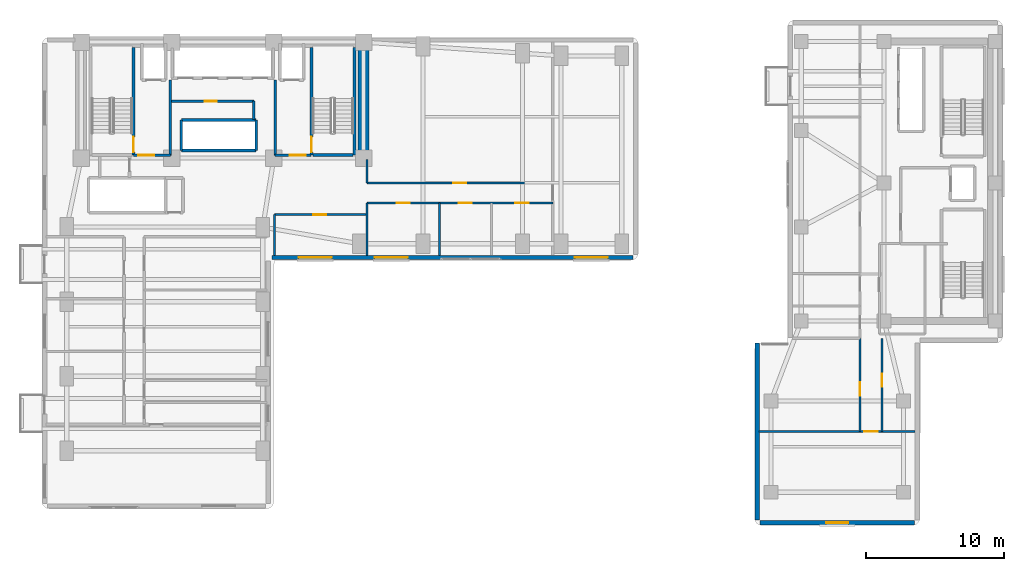
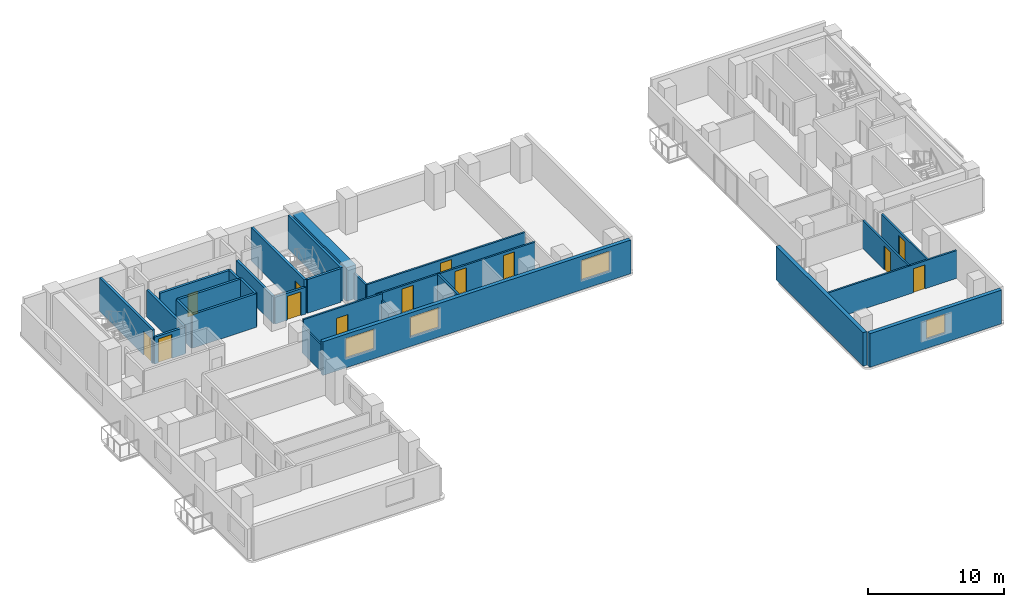
# One storey, part 11 of 17: 28 walls, 13 doors, 4 windows, 17 openings.
"""IFC4 building model written with IfcOpenShell, lengths in metres."""

from ifc_helpers import new_model, si_unit, direction, frame, frame_2d, origin, place, context, subcontext, project, spatial, rectangle, extrude, material, layer, layer_set, type_object, element, fill, save


model = new_model("IFC4")

# Units and contexts
model_context = context("Model", 3, precision=1e-05, world=origin(), true_north=direction((0.0, 1.0)))
body_context = subcontext(model_context, "Body", "Model", "MODEL_VIEW")
ifc_project = project(units=[si_unit("LENGTHUNIT", "METRE"), si_unit("AREAUNIT", "SQUARE_METRE"), si_unit("VOLUMEUNIT", "CUBIC_METRE"), si_unit("PLANEANGLEUNIT", "RADIAN"), si_unit("MASSUNIT", "GRAM", prefix="KILO")], contexts=[model_context])

# Site, building, storey
site_placement = place(None, origin())
site = spatial("IfcSite", under=ifc_project, at=site_placement, CompositionType="ELEMENT")
building_placement = place(site_placement, origin())
building = spatial("IfcBuilding", under=site, at=building_placement, Name="Kuzgunbayir Cultural Tower", CompositionType="ELEMENT")
storey_placement = place(building_placement, frame((0.0, 0.0, 50.0)))
storey = spatial("IfcBuildingStorey", under=building, at=storey_placement, Name="L13", CompositionType="ELEMENT", Elevation=50.0)

# Wall
ifc_material_1 = material(Name="Concrete C60/75", Category="concrete")
ifc_layer_1 = layer(ifc_material_1, 0.800048828125)
ifc_layer_set_1 = layer_set([ifc_layer_1], Name="Concrete C60/75")
wall_type_1 = type_object("IfcWallType", Name="WAL-CORE-800", PredefinedType="SHEAR", material=ifc_layer_set_1)
wall_1_placement = place(storey_placement, frame((26.89990234375, 33.800048828125, 0.0), z_axis=(0.0, 0.0, 1.0), x_axis=(0.0, 1.0, 0.0)))
element("IfcWall", 1, at=wall_1_placement, inside=storey, type_object=wall_type_1, Name="L13 T1 Core East Shear Wall", PredefinedType="SHEAR", context=body_context, shape_type="SweptSolid", body=[
    extrude(rectangle(XDim=7.949951171875, YDim=0.800048828125, at=frame_2d((3.97509765625, 0.0))), origin(), (0.0, 0.0, 1.0), 3.02001953125),
])

# Wall, openings, windows
ifc_material_2 = material(Name="Travertine Buff Ashlar", Category="masonry")
ifc_layer_2 = layer(ifc_material_2, 0.320068359375)
ifc_layer_set_2 = layer_set([ifc_layer_2], Name="Travertine Buff Ashlar")
wall_type_2 = type_object("IfcWallType", Name="WAL-EXT-STONE-320", PredefinedType="STANDARD", material=ifc_layer_set_2)
wall_2_placement = place(storey_placement, frame((20.25, 26.60009765625, 0.0), z_axis=(0.0, 0.0, 1.0), x_axis=(1.0, 0.0, 0.0)))
wall_2 = element("IfcWall", 2, at=wall_2_placement, inside=storey, type_object=wall_type_2, Name="L13 Wing B South Limestone Wall", PredefinedType="STANDARD", context=body_context, shape_type="SweptSolid", body=[
    extrude(rectangle(XDim=26.14990234375, YDim=0.320068359375, at=frame_2d((13.074951171875, 0.0))), origin(), (0.0, 0.0, 1.0), 3.02001953125),
])
opening_1_placement = place(wall_2_placement, frame((1.949951171875, 0.0, 0.85009765625)))
opening_1 = element("IfcOpeningElement", 3, at=opening_1_placement, cuts=wall_2, Name="Opening WO-24", PredefinedType="OPENING", context=body_context, shape_type="SweptSolid", body=[
    extrude(rectangle(XDim=2.39990234375, YDim=1.800048828125, at=frame_2d((1.199951171875, 0.89990234375))), frame((0.0, 0.169921875, 0.0), z_axis=(0.0, -1.0, 0.0), x_axis=(1.0, 0.0, 0.0)), (0.0, 0.0, 1.0), 0.340087890625),
])
opening_2_placement = place(wall_2_placement, frame((7.449951171875, 0.0, 0.85009765625)))
opening_2 = element("IfcOpeningElement", 4, at=opening_2_placement, cuts=wall_2, Name="Opening WO-24", PredefinedType="OPENING", context=body_context, shape_type="SweptSolid", body=[
    extrude(rectangle(XDim=2.39990234375, YDim=1.800048828125, at=frame_2d((1.199951171875, 0.89990234375))), frame((0.0, 0.169921875, 0.0), z_axis=(0.0, -1.0, 0.0), x_axis=(1.0, 0.0, 0.0)), (0.0, 0.0, 1.0), 0.340087890625),
])
opening_3_placement = place(wall_2_placement, frame((21.949951171875, 0.0, 0.85009765625)))
opening_3 = element("IfcOpeningElement", 5, at=opening_3_placement, cuts=wall_2, Name="Opening WO-24", PredefinedType="OPENING", context=body_context, shape_type="SweptSolid", body=[
    extrude(rectangle(XDim=2.39990234375, YDim=1.800048828125, at=frame_2d((1.199951171875, 0.89990234375))), frame((0.0, 0.169921875, 0.0), z_axis=(0.0, -1.0, 0.0), x_axis=(1.0, 0.0, 0.0)), (0.0, 0.0, 1.0), 0.340087890625),
])
ifc_material_3 = material(Name="Solar-Control Triple Glazing", Category="glass")
window_type_1 = type_object("IfcWindowType", Name="WIN-OFFICE-24", PartitioningType="SINGLE_PANEL", PredefinedType="WINDOW", material=ifc_material_3)
window_1_placement = place(opening_1_placement, origin())
window_1 = element("IfcWindow", 6, at=window_1_placement, inside=storey, type_object=window_type_1, Name="L13 WBS Facade Window 8", OverallHeight=1.800048828125, OverallWidth=2.39990234375, PartitioningType="SINGLE_PANEL", PredefinedType="WINDOW", context=body_context, shape_type="SweptSolid", body=[
    extrude(rectangle(XDim=2.39990234375, YDim=1.800048828125, at=frame_2d((1.199951171875, 0.89990234375))), frame((0.0, 0.030029296875, 0.0), z_axis=(0.0, -1.0, 0.0), x_axis=(1.0, 0.0, 0.0)), (0.0, 0.0, 1.0), 0.06005859375),
])
fill(opening_1, window_1)
window_2_placement = place(opening_2_placement, origin())
window_2 = element("IfcWindow", 7, at=window_2_placement, inside=storey, type_object=window_type_1, Name="L13 WBS Facade Window 9", OverallHeight=1.800048828125, OverallWidth=2.39990234375, PartitioningType="SINGLE_PANEL", PredefinedType="WINDOW", context=body_context, shape_type="SweptSolid", body=[
    extrude(rectangle(XDim=2.39990234375, YDim=1.800048828125, at=frame_2d((1.199951171875, 0.89990234375))), frame((0.0, 0.030029296875, 0.0), z_axis=(0.0, -1.0, 0.0), x_axis=(1.0, 0.0, 0.0)), (0.0, 0.0, 1.0), 0.06005859375),
])
fill(opening_2, window_2)
window_3_placement = place(opening_3_placement, origin())
window_3 = element("IfcWindow", 8, at=window_3_placement, inside=storey, type_object=window_type_1, Name="L13 WBS Facade Window 10", OverallHeight=1.800048828125, OverallWidth=2.39990234375, PartitioningType="SINGLE_PANEL", PredefinedType="WINDOW", context=body_context, shape_type="SweptSolid", body=[
    extrude(rectangle(XDim=2.39990234375, YDim=1.800048828125, at=frame_2d((1.199951171875, 0.89990234375))), frame((0.0, 0.030029296875, 0.0), z_axis=(0.0, -1.0, 0.0), x_axis=(1.0, 0.0, 0.0)), (0.0, 0.0, 1.0), 0.06005859375),
])
fill(opening_3, window_3)

# Wall, opening, window
wall_3_placement = place(storey_placement, frame((55.60009765625, 7.39990234375, 0.0), z_axis=(0.0, 0.0, 1.0), x_axis=(1.0, 0.0, 0.0)))
wall_3 = element("IfcWall", 9, at=wall_3_placement, inside=storey, type_object=wall_type_2, Name="L13 Companion Wing B South Wall", PredefinedType="STANDARD", context=body_context, shape_type="SweptSolid", body=[
    extrude(rectangle(XDim=11.199951171875, YDim=0.320068359375, at=frame_2d((5.60009765625, 0.0))), origin(), (0.0, 0.0, 1.0), 3.02001953125),
])
opening_4_placement = place(wall_3_placement, frame((4.800048828125, 0.0, 0.85009765625)))
opening_4 = element("IfcOpeningElement", 10, at=opening_4_placement, cuts=wall_3, Name="Opening WC-16", PredefinedType="OPENING", context=body_context, shape_type="SweptSolid", body=[
    extrude(rectangle(XDim=1.60009765625, YDim=1.699951171875, at=frame_2d((0.800048828125, 0.85009765625))), frame((0.0, 0.169921875, 0.0), z_axis=(0.0, -1.0, 0.0), x_axis=(1.0, 0.0, 0.0)), (0.0, 0.0, 1.0), 0.340087890625),
])
window_type_2 = type_object("IfcWindowType", Name="WIN-COMP-16", PartitioningType="SINGLE_PANEL", PredefinedType="WINDOW", material=ifc_material_3)
window_4_placement = place(opening_4_placement, origin())
window_4 = element("IfcWindow", 11, at=window_4_placement, inside=storey, type_object=window_type_2, Name="L13 Companion South Window", OverallHeight=1.699951171875, OverallWidth=1.60009765625, PartitioningType="SINGLE_PANEL", PredefinedType="WINDOW", context=body_context, shape_type="SweptSolid", body=[
    extrude(rectangle(XDim=1.60009765625, YDim=1.699951171875, at=frame_2d((0.800048828125, 0.85009765625))), frame((0.0, 0.030029296875, 0.0), z_axis=(0.0, -1.0, 0.0), x_axis=(1.0, 0.0, 0.0)), (0.0, 0.0, 1.0), 0.06005859375),
])
fill(opening_4, window_4)

# Wall
wall_4_placement = place(storey_placement, frame((55.39990234375, 20.39990234375, 0.0), z_axis=(0.0, 0.0, 1.0), x_axis=(0.0, -1.0, 0.0)))
element("IfcWall", 12, at=wall_4_placement, inside=storey, type_object=wall_type_2, Name="L13 Companion Wing B West Wall", PredefinedType="STANDARD", context=body_context, shape_type="SweptSolid", body=[
    extrude(rectangle(XDim=12.7998046875, YDim=0.320068359375, at=frame_2d((6.39990234375, 0.0))), origin(), (0.0, 0.0, 1.0), 3.02001953125),
])

# Wall, opening, door
ifc_material_4 = material(Name="Acoustic Double-Stud Drywall", Category="gypsum")
ifc_layer_3 = layer(ifc_material_4, 0.14990234375)
ifc_layer_set_3 = layer_set([ifc_layer_3], Name="Acoustic Double-Stud Drywall")
wall_type_3 = type_object("IfcWallType", Name="WAL-PART-ACOUSTIC-150", PredefinedType="PARTITIONING", material=ifc_layer_set_3)
wall_5_placement = place(storey_placement, frame((20.449951171875, 29.699951171875, 0.0), z_axis=(0.0, 0.0, 1.0), x_axis=(1.0, 0.0, 0.0)))
wall_5 = element("IfcWall", 13, at=wall_5_placement, inside=storey, type_object=wall_type_3, Name="L13 Waist Alcove North Wall", PredefinedType="PARTITIONING", context=body_context, shape_type="SweptSolid", body=[
    extrude(rectangle(XDim=6.699951171875, YDim=0.14990234375, at=frame_2d((3.35009765625, 0.0))), origin(), (0.0, 0.0, 1.0), 3.02001953125),
])
opening_5_placement = place(wall_5_placement, frame((2.800048828125, 0.0, 0.0)))
opening_5 = element("IfcOpeningElement", 14, at=opening_5_placement, cuts=wall_5, Name="Opening DI-90", PredefinedType="OPENING", context=body_context, shape_type="SweptSolid", body=[
    extrude(rectangle(XDim=0.949951171875, YDim=2.14990234375, at=frame_2d((0.47509765625, 1.074951171875))), frame((0.0, 0.0849609375, 0.0), z_axis=(0.0, -1.0, 0.0), x_axis=(1.0, 0.0, 0.0)), (0.0, 0.0, 1.0), 0.169921875),
])
ifc_material_5 = material(Name="Veneered Oak Single Leaf", Category="wood")
door_type_1 = type_object("IfcDoorType", Name="DR-INT-90", OperationType="NOTDEFINED", PredefinedType="DOOR", material=ifc_material_5)
door_1_placement = place(opening_5_placement, origin())
door_1 = element("IfcDoor", 15, at=door_1_placement, inside=storey, type_object=door_type_1, Name="L13 Waist Alcove Door", OperationType="SINGLE_SWING_RIGHT", OverallHeight=2.14990234375, OverallWidth=0.949951171875, PredefinedType="DOOR", context=body_context, shape_type="SweptSolid", body=[
    extrude(rectangle(XDim=0.949951171875, YDim=2.14990234375, at=frame_2d((0.47509765625, 1.074951171875))), frame((0.0, 0.02490234375, 0.0), z_axis=(0.0, -1.0, 0.0), x_axis=(1.0, 0.0, 0.0)), (0.0, 0.0, 1.0), 0.050048828125),
])
fill(opening_5, door_1)

# Walls
wall_6_placement = place(storey_placement, frame((20.449951171875, 26.75, 0.0), z_axis=(0.0, 0.0, 1.0), x_axis=(0.0, 1.0, 0.0)))
element("IfcWall", 16, at=wall_6_placement, inside=storey, type_object=wall_type_3, Name="L13 Waist Alcove West Wall", PredefinedType="PARTITIONING", context=body_context, shape_type="SweptSolid", body=[
    extrude(rectangle(XDim=2.949951171875, YDim=0.14990234375, at=frame_2d((1.47509765625, 0.0))), origin(), (0.0, 0.0, 1.0), 2.409912109375),
])
wall_7_placement = place(storey_placement, frame((27.14990234375, 26.75, 0.0), z_axis=(0.0, 0.0, 1.0), x_axis=(0.0, 1.0, 0.0)))
element("IfcWall", 17, at=wall_7_placement, inside=storey, type_object=wall_type_3, Name="L13 Waist Alcove East Wall", PredefinedType="PARTITIONING", context=body_context, shape_type="SweptSolid", body=[
    extrude(rectangle(XDim=3.800048828125, YDim=0.14990234375, at=frame_2d((1.89990234375, 0.0))), origin(), (0.0, 0.0, 1.0), 2.409912109375),
])

# Wall, openings, doors
wall_8_placement = place(storey_placement, frame((27.14990234375, 30.550048828125, 0.0), z_axis=(0.0, 0.0, 1.0), x_axis=(1.0, 0.0, 0.0)))
wall_8 = element("IfcWall", 18, at=wall_8_placement, inside=storey, type_object=wall_type_3, Name="L13 Wing B Corridor South Wall", PredefinedType="PARTITIONING", context=body_context, shape_type="SweptSolid", body=[
    extrude(rectangle(XDim=13.4501953125, YDim=0.14990234375, at=frame_2d((6.72509765625, 0.0))), origin(), (0.0, 0.0, 1.0), 2.409912109375),
])
opening_6_placement = place(wall_8_placement, frame((2.14990234375, 0.0, 0.0)))
opening_6 = element("IfcOpeningElement", 19, at=opening_6_placement, cuts=wall_8, Name="Opening DI-90", PredefinedType="OPENING", context=body_context, shape_type="SweptSolid", body=[
    extrude(rectangle(XDim=0.949951171875, YDim=2.14990234375, at=frame_2d((0.47509765625, 1.074951171875))), frame((0.0, 0.0849609375, 0.0), z_axis=(0.0, -1.0, 0.0), x_axis=(1.0, 0.0, 0.0)), (0.0, 0.0, 1.0), 0.169921875),
])
opening_7_placement = place(wall_8_placement, frame((6.64990234375, 0.0, 0.0)))
opening_7 = element("IfcOpeningElement", 20, at=opening_7_placement, cuts=wall_8, Name="Opening DI-90", PredefinedType="OPENING", context=body_context, shape_type="SweptSolid", body=[
    extrude(rectangle(XDim=0.949951171875, YDim=2.14990234375, at=frame_2d((0.47509765625, 1.074951171875))), frame((0.0, 0.0849609375, 0.0), z_axis=(0.0, -1.0, 0.0), x_axis=(1.0, 0.0, 0.0)), (0.0, 0.0, 1.0), 0.169921875),
])
opening_8_placement = place(wall_8_placement, frame((10.75, 0.0, 0.0)))
opening_8 = element("IfcOpeningElement", 21, at=opening_8_placement, cuts=wall_8, Name="Opening DI-90", PredefinedType="OPENING", context=body_context, shape_type="SweptSolid", body=[
    extrude(rectangle(XDim=0.949951171875, YDim=2.14990234375, at=frame_2d((0.47509765625, 1.074951171875))), frame((0.0, 0.0849609375, 0.0), z_axis=(0.0, -1.0, 0.0), x_axis=(1.0, 0.0, 0.0)), (0.0, 0.0, 1.0), 0.169921875),
])
door_2_placement = place(opening_6_placement, origin())
door_2 = element("IfcDoor", 22, at=door_2_placement, inside=storey, type_object=door_type_1, Name="L13 Wing B Seminar Boardroom 1 Door", OperationType="SINGLE_SWING_RIGHT", OverallHeight=2.14990234375, OverallWidth=0.949951171875, PredefinedType="DOOR", context=body_context, shape_type="SweptSolid", body=[
    extrude(rectangle(XDim=0.949951171875, YDim=2.14990234375, at=frame_2d((0.47509765625, 1.074951171875))), frame((0.0, 0.02490234375, 0.0), z_axis=(0.0, -1.0, 0.0), x_axis=(1.0, 0.0, 0.0)), (0.0, 0.0, 1.0), 0.050048828125),
])
fill(opening_6, door_2)
door_3_placement = place(opening_7_placement, origin())
door_3 = element("IfcDoor", 23, at=door_3_placement, inside=storey, type_object=door_type_1, Name="L13 Wing B Curatorial Office 2 Door", OperationType="SINGLE_SWING_LEFT", OverallHeight=2.14990234375, OverallWidth=0.949951171875, PredefinedType="DOOR", context=body_context, shape_type="SweptSolid", body=[
    extrude(rectangle(XDim=0.949951171875, YDim=2.14990234375, at=frame_2d((0.47509765625, 1.074951171875))), frame((0.0, 0.02490234375, 0.0), z_axis=(0.0, -1.0, 0.0), x_axis=(1.0, 0.0, 0.0)), (0.0, 0.0, 1.0), 0.050048828125),
])
fill(opening_7, door_3)
door_4_placement = place(opening_8_placement, origin())
door_4 = element("IfcDoor", 24, at=door_4_placement, inside=storey, type_object=door_type_1, Name="L13 Wing B Seminar Boardroom 3 Door", OperationType="SINGLE_SWING_RIGHT", OverallHeight=2.14990234375, OverallWidth=0.949951171875, PredefinedType="DOOR", context=body_context, shape_type="SweptSolid", body=[
    extrude(rectangle(XDim=0.949951171875, YDim=2.14990234375, at=frame_2d((0.47509765625, 1.074951171875))), frame((0.0, 0.02490234375, 0.0), z_axis=(0.0, -1.0, 0.0), x_axis=(1.0, 0.0, 0.0)), (0.0, 0.0, 1.0), 0.050048828125),
])
fill(opening_8, door_4)

# Wall, opening, door
wall_9_placement = place(storey_placement, frame((27.14990234375, 32.0, 0.0), z_axis=(0.0, 0.0, 1.0), x_axis=(1.0, 0.0, 0.0)))
wall_9 = element("IfcWall", 25, at=wall_9_placement, inside=storey, type_object=wall_type_3, Name="L13 Wing B Corridor North Wall", PredefinedType="PARTITIONING", context=body_context, shape_type="SweptSolid", body=[
    extrude(rectangle(XDim=13.4501953125, YDim=0.14990234375, at=frame_2d((6.72509765625, 0.0))), origin(), (0.0, 0.0, 1.0), 2.409912109375),
])
opening_9_placement = place(wall_9_placement, frame((6.25, 0.0, 0.0)))
opening_9 = element("IfcOpeningElement", 26, at=opening_9_placement, cuts=wall_9, Name="Opening DI-90", PredefinedType="OPENING", context=body_context, shape_type="SweptSolid", body=[
    extrude(rectangle(XDim=0.949951171875, YDim=2.14990234375, at=frame_2d((0.47509765625, 1.074951171875))), frame((0.0, 0.0849609375, 0.0), z_axis=(0.0, -1.0, 0.0), x_axis=(1.0, 0.0, 0.0)), (0.0, 0.0, 1.0), 0.169921875),
])
door_5_placement = place(opening_9_placement, origin())
door_5 = element("IfcDoor", 27, at=door_5_placement, inside=storey, type_object=door_type_1, Name="L13 Wing B North Seminar Boardroom 1 Door", OperationType="SINGLE_SWING_LEFT", OverallHeight=2.14990234375, OverallWidth=0.949951171875, PredefinedType="DOOR", context=body_context, shape_type="SweptSolid", body=[
    extrude(rectangle(XDim=0.949951171875, YDim=2.14990234375, at=frame_2d((0.47509765625, 1.074951171875))), frame((0.0, 0.02490234375, 0.0), z_axis=(0.0, -1.0, 0.0), x_axis=(1.0, 0.0, 0.0)), (0.0, 0.0, 1.0), 0.050048828125),
])
fill(opening_9, door_5)

# Walls
wall_10_placement = place(storey_placement, frame((27.14990234375, 32.0, 0.0), z_axis=(0.0, 0.0, 1.0), x_axis=(0.0, 1.0, 0.0)))
element("IfcWall", 28, at=wall_10_placement, inside=storey, type_object=wall_type_3, Name="L13 Wing B North Core Closure Wall", PredefinedType="PARTITIONING", context=body_context, shape_type="SweptSolid", body=[
    extrude(rectangle(XDim=1.679931640625, YDim=0.14990234375, at=frame_2d((0.83984375, 0.0))), origin(), (0.0, 0.0, 1.0), 2.409912109375),
])
wall_11_placement = place(storey_placement, frame((32.39990234375, 26.75, 0.0), z_axis=(0.0, 0.0, 1.0), x_axis=(0.0, 1.0, 0.0)))
element("IfcWall", 29, at=wall_11_placement, inside=storey, type_object=wall_type_3, Name="L13 Wing B South Partition 1", PredefinedType="PARTITIONING", context=body_context, shape_type="SweptSolid", body=[
    extrude(rectangle(XDim=3.800048828125, YDim=0.14990234375, at=frame_2d((1.89990234375, 0.0))), origin(), (0.0, 0.0, 1.0), 2.409912109375),
])

# Wall, opening, door
wall_12_placement = place(storey_placement, frame((62.85009765625, 14.0, 0.0), z_axis=(0.0, 0.0, 1.0), x_axis=(0.0, 1.0, 0.0)))
wall_12 = element("IfcWall", 30, at=wall_12_placement, inside=storey, type_object=wall_type_3, Name="L13 Companion South Corridor West Wall", PredefinedType="PARTITIONING", context=body_context, shape_type="SweptSolid", body=[
    extrude(rectangle(XDim=6.75, YDim=0.14990234375, at=frame_2d((3.375, 0.0))), origin(), (0.0, 0.0, 1.0), 2.510009765625),
])
opening_10_placement = place(wall_12_placement, frame((2.60009765625, 0.0, 0.0)))
opening_10 = element("IfcOpeningElement", 31, at=opening_10_placement, cuts=wall_12, Name="Opening DI-90", PredefinedType="OPENING", context=body_context, shape_type="SweptSolid", body=[
    extrude(rectangle(XDim=0.949951171875, YDim=2.14990234375, at=frame_2d((0.47509765625, 1.074951171875))), frame((0.0, 0.0849609375, 0.0), z_axis=(0.0, -1.0, 0.0), x_axis=(1.0, 0.0, 0.0)), (0.0, 0.0, 1.0), 0.169921875),
])
door_6_placement = place(opening_10_placement, origin())
door_6 = element("IfcDoor", 32, at=door_6_placement, inside=storey, type_object=door_type_1, Name="L13 Companion West Atelier Door", OperationType="SINGLE_SWING_LEFT", OverallHeight=2.14990234375, OverallWidth=0.949951171875, PredefinedType="DOOR", context=body_context, shape_type="SweptSolid", body=[
    extrude(rectangle(XDim=0.949951171875, YDim=2.14990234375, at=frame_2d((0.47509765625, 1.074951171875))), frame((0.0, 0.02490234375, 0.0), z_axis=(0.0, -1.0, 0.0), x_axis=(1.0, 0.0, 0.0)), (0.0, 0.0, 1.0), 0.050048828125),
])
fill(opening_10, door_6)

wall_13_placement = place(storey_placement, frame((55.550048828125, 14.0, 0.0), z_axis=(0.0, 0.0, 1.0), x_axis=(1.0, 0.0, 0.0)))
wall_13 = element("IfcWall", 33, at=wall_13_placement, inside=storey, type_object=wall_type_3, Name="L13 Companion South Gallery Wall", PredefinedType="PARTITIONING", context=body_context, shape_type="SweptSolid", body=[
    extrude(rectangle(XDim=11.300048828125, YDim=0.14990234375, at=frame_2d((5.64990234375, 0.0))), origin(), (0.0, 0.0, 1.0), 2.510009765625),
])
opening_11_placement = place(wall_13_placement, frame((7.60009765625, 0.0, 0.0)))
opening_11 = element("IfcOpeningElement", 34, at=opening_11_placement, cuts=wall_13, Name="Opening DI-100", PredefinedType="OPENING", context=body_context, shape_type="SweptSolid", body=[
    extrude(rectangle(XDim=1.0, YDim=2.14990234375, at=frame_2d((0.5, 1.074951171875))), frame((0.0, 0.0849609375, 0.0), z_axis=(0.0, -1.0, 0.0), x_axis=(1.0, 0.0, 0.0)), (0.0, 0.0, 1.0), 0.169921875),
])
door_type_2 = type_object("IfcDoorType", Name="DR-INT-100", OperationType="NOTDEFINED", PredefinedType="DOOR", material=ifc_material_5)
door_7_placement = place(opening_11_placement, origin())
door_7 = element("IfcDoor", 35, at=door_7_placement, inside=storey, type_object=door_type_2, Name="L13 Companion South Salon Door", OperationType="SINGLE_SWING_LEFT", OverallHeight=2.14990234375, OverallWidth=1.0, PredefinedType="DOOR", context=body_context, shape_type="SweptSolid", body=[
    extrude(rectangle(XDim=1.0, YDim=2.14990234375, at=frame_2d((0.5, 1.074951171875))), frame((0.0, 0.02490234375, 0.0), z_axis=(0.0, -1.0, 0.0), x_axis=(1.0, 0.0, 0.0)), (0.0, 0.0, 1.0), 0.050048828125),
])
fill(opening_11, door_7)

wall_14_placement = place(storey_placement, frame((64.449951171875, 14.0, 0.0), z_axis=(0.0, 0.0, 1.0), x_axis=(0.0, 1.0, 0.0)))
wall_14 = element("IfcWall", 36, at=wall_14_placement, inside=storey, type_object=wall_type_3, Name="L13 Companion South Corridor East Wall", PredefinedType="PARTITIONING", context=body_context, shape_type="SweptSolid", body=[
    extrude(rectangle(XDim=6.75, YDim=0.14990234375, at=frame_2d((3.375, 0.0))), origin(), (0.0, 0.0, 1.0), 2.510009765625),
])
opening_12_placement = place(wall_14_placement, frame((3.239990234375, 0.0, 0.0)))
opening_12 = element("IfcOpeningElement", 37, at=opening_12_placement, cuts=wall_14, Name="Opening DI-90", PredefinedType="OPENING", context=body_context, shape_type="SweptSolid", body=[
    extrude(rectangle(XDim=0.949951171875, YDim=2.14990234375, at=frame_2d((0.47509765625, 1.074951171875))), frame((0.0, 0.0849609375, 0.0), z_axis=(0.0, -1.0, 0.0), x_axis=(1.0, 0.0, 0.0)), (0.0, 0.0, 1.0), 0.169921875),
])
door_8_placement = place(opening_12_placement, origin())
door_8 = element("IfcDoor", 38, at=door_8_placement, inside=storey, type_object=door_type_1, Name="L13 Companion East Studio Door", OperationType="SINGLE_SWING_RIGHT", OverallHeight=2.14990234375, OverallWidth=0.949951171875, PredefinedType="DOOR", context=body_context, shape_type="SweptSolid", body=[
    extrude(rectangle(XDim=0.949951171875, YDim=2.14990234375, at=frame_2d((0.47509765625, 1.074951171875))), frame((0.0, 0.02490234375, 0.0), z_axis=(0.0, -1.0, 0.0), x_axis=(1.0, 0.0, 0.0)), (0.0, 0.0, 1.0), 0.050048828125),
])
fill(opening_12, door_8)

# Wall
ifc_material_6 = material(Name="Aerated Concrete Blockwork", Category="masonry")
ifc_layer_4 = layer(ifc_material_6, 0.199951171875)
ifc_layer_set_4 = layer_set([ifc_layer_4], Name="Aerated Concrete Blockwork")
wall_type_4 = type_object("IfcWallType", Name="WAL-PART-FIRE-200", PredefinedType="PARTITIONING", material=ifc_layer_set_4)
wall_15_placement = place(storey_placement, frame((12.89990234375, 34.0, 0.0), z_axis=(0.0, 0.0, 1.0), x_axis=(0.0, 1.0, 0.0)))
element("IfcWall", 39, at=wall_15_placement, inside=storey, type_object=wall_type_4, Name="L13 FFL-1 Lobby East Fire Wall", PredefinedType="PARTITIONING", context=body_context, shape_type="SweptSolid", body=[
    extrude(rectangle(XDim=5.449951171875, YDim=0.199951171875, at=frame_2d((2.72509765625, 0.0))), origin(), (0.0, 0.0, 1.0), 2.409912109375),
])

# Wall, opening, door
wall_16_placement = place(storey_placement, frame((10.239990234375, 34.0, 0.0), z_axis=(0.0, 0.0, 1.0), x_axis=(1.0, 0.0, 0.0)))
wall_16 = element("IfcWall", 40, at=wall_16_placement, inside=storey, type_object=wall_type_4, Name="L13 FFL-1 Lobby South Fire Wall", PredefinedType="PARTITIONING", context=body_context, shape_type="SweptSolid", body=[
    extrude(rectangle(XDim=2.659912109375, YDim=0.199951171875, at=frame_2d((1.330078125, 0.0))), origin(), (0.0, 0.0, 1.0), 2.409912109375),
])
opening_13_placement = place(wall_16_placement, frame((0.35009765625, 0.0, 0.0)))
opening_13 = element("IfcOpeningElement", 41, at=opening_13_placement, cuts=wall_16, Name="Opening DR-FFL-90", PredefinedType="OPENING", context=body_context, shape_type="SweptSolid", body=[
    extrude(rectangle(XDim=1.14990234375, YDim=2.14990234375, at=frame_2d((0.574951171875, 1.074951171875))), frame((0.0, 0.10986328125, 0.0), z_axis=(0.0, -1.0, 0.0), x_axis=(1.0, 0.0, 0.0)), (0.0, 0.0, 1.0), 0.219970703125),
])
ifc_material_7 = material(Name="Steel S355J2", Category="steel")
door_type_3 = type_object("IfcDoorType", Name="DR-FFL-90", OperationType="NOTDEFINED", PredefinedType="DOOR", material=ifc_material_7)
door_9_placement = place(opening_13_placement, origin())
door_9 = element("IfcDoor", 42, at=door_9_placement, inside=storey, type_object=door_type_3, Name="L13 Firefighting Lobby 1 Door", OperationType="SINGLE_SWING_LEFT", OverallHeight=2.14990234375, OverallWidth=1.14990234375, PredefinedType="DOOR", context=body_context, shape_type="SweptSolid", body=[
    extrude(rectangle(XDim=1.14990234375, YDim=2.14990234375, at=frame_2d((0.574951171875, 1.074951171875))), frame((0.0, 0.02490234375, 0.0), z_axis=(0.0, -1.0, 0.0), x_axis=(1.0, 0.0, 0.0)), (0.0, 0.0, 1.0), 0.050048828125),
])
fill(opening_13, door_9)

# Wall
wall_17_placement = place(storey_placement, frame((20.5, 34.0, 0.0), z_axis=(0.0, 0.0, 1.0), x_axis=(0.0, 1.0, 0.0)))
element("IfcWall", 43, at=wall_17_placement, inside=storey, type_object=wall_type_4, Name="L13 FFL-2 Lobby West Fire Wall", PredefinedType="PARTITIONING", context=body_context, shape_type="SweptSolid", body=[
    extrude(rectangle(XDim=5.449951171875, YDim=0.199951171875, at=frame_2d((2.72509765625, 0.0))), origin(), (0.0, 0.0, 1.0), 2.409912109375),
])

# Wall, opening, door
wall_18_placement = place(storey_placement, frame((20.5, 34.0, 0.0), z_axis=(0.0, 0.0, 1.0), x_axis=(1.0, 0.0, 0.0)))
wall_18 = element("IfcWall", 44, at=wall_18_placement, inside=storey, type_object=wall_type_4, Name="L13 FFL-2 Lobby South Fire Wall", PredefinedType="PARTITIONING", context=body_context, shape_type="SweptSolid", body=[
    extrude(rectangle(XDim=2.60009765625, YDim=0.199951171875, at=frame_2d((1.300048828125, 0.0))), origin(), (0.0, 0.0, 1.0), 2.409912109375),
])
opening_14_placement = place(wall_18_placement, frame((1.050048828125, 0.0, 0.0)))
opening_14 = element("IfcOpeningElement", 45, at=opening_14_placement, cuts=wall_18, Name="Opening DR-FFL-90", PredefinedType="OPENING", context=body_context, shape_type="SweptSolid", body=[
    extrude(rectangle(XDim=1.14990234375, YDim=2.14990234375, at=frame_2d((0.574951171875, 1.074951171875))), frame((0.0, 0.10986328125, 0.0), z_axis=(0.0, -1.0, 0.0), x_axis=(1.0, 0.0, 0.0)), (0.0, 0.0, 1.0), 0.219970703125),
])
door_10_placement = place(opening_14_placement, origin())
door_10 = element("IfcDoor", 46, at=door_10_placement, inside=storey, type_object=door_type_3, Name="L13 Firefighting Lobby 2 Door", OperationType="SINGLE_SWING_RIGHT", OverallHeight=2.14990234375, OverallWidth=1.14990234375, PredefinedType="DOOR", context=body_context, shape_type="SweptSolid", body=[
    extrude(rectangle(XDim=1.14990234375, YDim=2.14990234375, at=frame_2d((0.574951171875, 1.074951171875))), frame((0.0, 0.02490234375, 0.0), z_axis=(0.0, -1.0, 0.0), x_axis=(1.0, 0.0, 0.0)), (0.0, 0.0, 1.0), 0.050048828125),
])
fill(opening_14, door_10)

wall_19_placement = place(storey_placement, frame((13.0, 37.919921875, 0.0), z_axis=(0.0, 0.0, 1.0), x_axis=(1.0, 0.0, 0.0)))
wall_19 = element("IfcWall", 47, at=wall_19_placement, inside=storey, type_object=wall_type_4, Name="L13 Core Comms North Wall", PredefinedType="PARTITIONING", context=body_context, shape_type="SweptSolid", body=[
    extrude(rectangle(XDim=5.949951171875, YDim=0.199951171875, at=frame_2d((2.97509765625, 0.0))), origin(), (0.0, 0.0, 1.0), 3.02001953125),
])
opening_15_placement = place(wall_19_placement, frame((2.39990234375, 0.0, 0.0)))
opening_15 = element("IfcOpeningElement", 48, at=opening_15_placement, cuts=wall_19, Name="Opening DR-RSR-60", PredefinedType="OPENING", context=body_context, shape_type="SweptSolid", body=[
    extrude(rectangle(XDim=0.85009765625, YDim=2.050048828125, at=frame_2d((0.425048828125, 1.02490234375))), frame((0.0, 0.10986328125, 0.0), z_axis=(0.0, -1.0, 0.0), x_axis=(1.0, 0.0, 0.0)), (0.0, 0.0, 1.0), 0.219970703125),
])
ifc_material_8 = material(Name="Steel Access Leaf", Category="steel")
door_type_4 = type_object("IfcDoorType", Name="DR-RISER-60", OperationType="NOTDEFINED", PredefinedType="DOOR", material=ifc_material_8)
door_11_placement = place(opening_15_placement, origin())
door_11 = element("IfcDoor", 49, at=door_11_placement, inside=storey, type_object=door_type_4, Name="L13 Core Telecom Switchroom Door", OperationType="SINGLE_SWING_LEFT", OverallHeight=2.050048828125, OverallWidth=0.85009765625, PredefinedType="DOOR", context=body_context, shape_type="SweptSolid", body=[
    extrude(rectangle(XDim=0.85009765625, YDim=2.050048828125, at=frame_2d((0.425048828125, 1.02490234375))), frame((0.0, 0.02490234375, 0.0), z_axis=(0.0, -1.0, 0.0), x_axis=(1.0, 0.0, 0.0)), (0.0, 0.0, 1.0), 0.050048828125),
])
fill(opening_15, door_11)

# Walls
wall_20_placement = place(storey_placement, frame((18.949951171875, 36.60009765625, 0.0), z_axis=(0.0, 0.0, 1.0), x_axis=(0.0, 1.0, 0.0)))
element("IfcWall", 50, at=wall_20_placement, inside=storey, type_object=wall_type_4, Name="L13 Core Comms East Wall", PredefinedType="PARTITIONING", context=body_context, shape_type="SweptSolid", body=[
    extrude(rectangle(XDim=1.31982421875, YDim=0.199951171875, at=frame_2d((0.659912109375, 0.0))), origin(), (0.0, 0.0, 1.0), 3.02001953125),
])
ifc_material_9 = material(Name="Concrete C40/50", Category="concrete")
ifc_layer_5 = layer(ifc_material_9, 0.199951171875)
ifc_layer_set_5 = layer_set([ifc_layer_5], Name="Concrete C40/50")
wall_type_5 = type_object("IfcWallType", Name="WAL-SHAFT-200", PredefinedType="MOVABLE", material=ifc_layer_set_5)
for number, where, z_axis, x_axis, name in (
    (51, (13.699951171875, 34.35009765625, 0.0), (0.0, 0.0, 1.0), (1.0, 0.0, 0.0), "L13 Mid-Rise Lift Front Wall"),
    (52, (13.699951171875, 36.550048828125, 0.0), (0.0, 0.0, 1.0), (1.0, 0.0, 0.0), "L13 Mid-Rise Lift Shaft North Wall"),
):
    element("IfcWall", number, at=place(storey_placement, frame(where, z_axis=z_axis, x_axis=x_axis)), inside=storey, type_object=wall_type_5, Name=name, PredefinedType="MOVABLE", context=body_context, shape_type="SweptSolid", body=[
        extrude(rectangle(XDim=5.420166015625, YDim=0.199951171875, at=frame_2d((2.7099609375, 0.0))), origin(), (0.0, 0.0, 1.0), 3.02001953125),
    ])
for number, where, z_axis, x_axis, name in (
    (53, (13.699951171875, 34.35009765625, 0.0), (0.0, 0.0, 1.0), (0.0, 1.0, 0.0), "L13 Mid-Rise Lift Shaft West Wall"),
    (54, (19.1201171875, 34.35009765625, 0.0), (0.0, 0.0, 1.0), (0.0, 1.0, 0.0), "L13 Mid-Rise Lift Shaft East Wall"),
):
    element("IfcWall", number, at=place(storey_placement, frame(where, z_axis=z_axis, x_axis=x_axis)), inside=storey, type_object=wall_type_5, Name=name, PredefinedType="MOVABLE", context=body_context, shape_type="SweptSolid", body=[
        extrude(rectangle(XDim=2.199951171875, YDim=0.199951171875, at=frame_2d((1.10009765625, 0.0))), origin(), (0.0, 0.0, 1.0), 3.02001953125),
    ])

# Wall, opening, door
ifc_layer_6 = layer(ifc_material_9, 0.199951171875)
ifc_layer_set_6 = layer_set([ifc_layer_6], Name="Concrete C40/50")
wall_type_6 = type_object("IfcWallType", Name="WAL-STAIR-RC-200", PredefinedType="SHEAR", material=ifc_layer_set_6)
wall_21_placement = place(storey_placement, frame((10.239990234375, 34.02001953125, 0.0), z_axis=(0.0, 0.0, 1.0), x_axis=(0.0, 1.0, 0.0)))
wall_21 = element("IfcWall", 55, at=wall_21_placement, inside=storey, type_object=wall_type_6, Name="L13 Stair ST-1 East Structural Wall", PredefinedType="SHEAR", context=body_context, shape_type="SweptSolid", body=[
    extrude(rectangle(XDim=7.780029296875, YDim=0.199951171875, at=frame_2d((3.89013671875, 0.0))), origin(), (0.0, 0.0, 1.0), 3.02001953125),
])
opening_16_placement = place(wall_21_placement, frame((0.219970703125, 0.0, 0.0)))
opening_16 = element("IfcOpeningElement", 56, at=opening_16_placement, cuts=wall_21, Name="Opening DR-STAIR-90", PredefinedType="OPENING", context=body_context, shape_type="SweptSolid", body=[
    extrude(rectangle(XDim=1.10009765625, YDim=2.14990234375, at=frame_2d((0.550048828125, 1.074951171875))), frame((0.0, 0.10986328125, 0.0), z_axis=(0.0, -1.0, 0.0), x_axis=(1.0, 0.0, 0.0)), (0.0, 0.0, 1.0), 0.219970703125),
])
door_type_5 = type_object("IfcDoorType", Name="DR-STAIR-90", OperationType="NOTDEFINED", PredefinedType="DOOR", material=ifc_material_7)
door_12_placement = place(opening_16_placement, origin())
door_12 = element("IfcDoor", 57, at=door_12_placement, inside=storey, type_object=door_type_5, Name="L13 Stair ST-1 Fire Door", OperationType="SINGLE_SWING_LEFT", OverallHeight=2.14990234375, OverallWidth=1.10009765625, PredefinedType="DOOR", context=body_context, shape_type="SweptSolid", body=[
    extrude(rectangle(XDim=1.10009765625, YDim=2.14990234375, at=frame_2d((0.550048828125, 1.074951171875))), frame((0.0, 0.02490234375, 0.0), z_axis=(0.0, -1.0, 0.0), x_axis=(1.0, 0.0, 0.0)), (0.0, 0.0, 1.0), 0.050048828125),
])
fill(opening_16, door_12)

wall_22_placement = place(storey_placement, frame((23.1201171875, 34.02001953125, 0.0), z_axis=(0.0, 0.0, 1.0), x_axis=(0.0, 1.0, 0.0)))
wall_22 = element("IfcWall", 58, at=wall_22_placement, inside=storey, type_object=wall_type_6, Name="L13 Stair ST-2 West Structural Wall", PredefinedType="SHEAR", context=body_context, shape_type="SweptSolid", body=[
    extrude(rectangle(XDim=7.780029296875, YDim=0.199951171875, at=frame_2d((3.89013671875, 0.0))), origin(), (0.0, 0.0, 1.0), 3.02001953125),
])
opening_17_placement = place(wall_22_placement, frame((0.219970703125, 0.0, 0.0)))
opening_17 = element("IfcOpeningElement", 59, at=opening_17_placement, cuts=wall_22, Name="Opening DR-STAIR-90", PredefinedType="OPENING", context=body_context, shape_type="SweptSolid", body=[
    extrude(rectangle(XDim=1.10009765625, YDim=2.14990234375, at=frame_2d((0.550048828125, 1.074951171875))), frame((0.0, 0.10986328125, 0.0), z_axis=(0.0, -1.0, 0.0), x_axis=(1.0, 0.0, 0.0)), (0.0, 0.0, 1.0), 0.219970703125),
])
door_13_placement = place(opening_17_placement, origin())
door_13 = element("IfcDoor", 60, at=door_13_placement, inside=storey, type_object=door_type_5, Name="L13 Stair ST-2 Fire Door", OperationType="SINGLE_SWING_LEFT", OverallHeight=2.14990234375, OverallWidth=1.10009765625, PredefinedType="DOOR", context=body_context, shape_type="SweptSolid", body=[
    extrude(rectangle(XDim=1.10009765625, YDim=2.14990234375, at=frame_2d((0.550048828125, 1.074951171875))), frame((0.0, 0.02490234375, 0.0), z_axis=(0.0, -1.0, 0.0), x_axis=(1.0, 0.0, 0.0)), (0.0, 0.0, 1.0), 0.050048828125),
])
fill(opening_17, door_13)

# Walls
wall_23_placement = place(storey_placement, frame((26.239990234375, 34.02001953125, 0.0), z_axis=(0.0, 0.0, 1.0), x_axis=(0.0, 1.0, 0.0)))
element("IfcWall", 61, at=wall_23_placement, inside=storey, type_object=wall_type_6, Name="L13 Stair ST-2 East Structural Wall", PredefinedType="SHEAR", context=body_context, shape_type="SweptSolid", body=[
    extrude(rectangle(XDim=7.780029296875, YDim=0.199951171875, at=frame_2d((3.89013671875, 0.0))), origin(), (0.0, 0.0, 1.0), 3.02001953125),
])
wall_24_placement = place(storey_placement, frame((23.239990234375, 34.02001953125, 0.0), z_axis=(0.0, 0.0, 1.0), x_axis=(1.0, 0.0, 0.0)))
element("IfcWall", 62, at=wall_24_placement, inside=storey, type_object=wall_type_6, Name="L13 Stair ST-2 South Structural Wall", PredefinedType="SHEAR", context=body_context, shape_type="SweptSolid", body=[
    extrude(rectangle(XDim=2.880126953125, YDim=0.199951171875, at=frame_2d((1.43994140625, 0.0))), origin(), (0.0, 0.0, 1.0), 3.02001953125),
])

save(model, "model.ifc")
